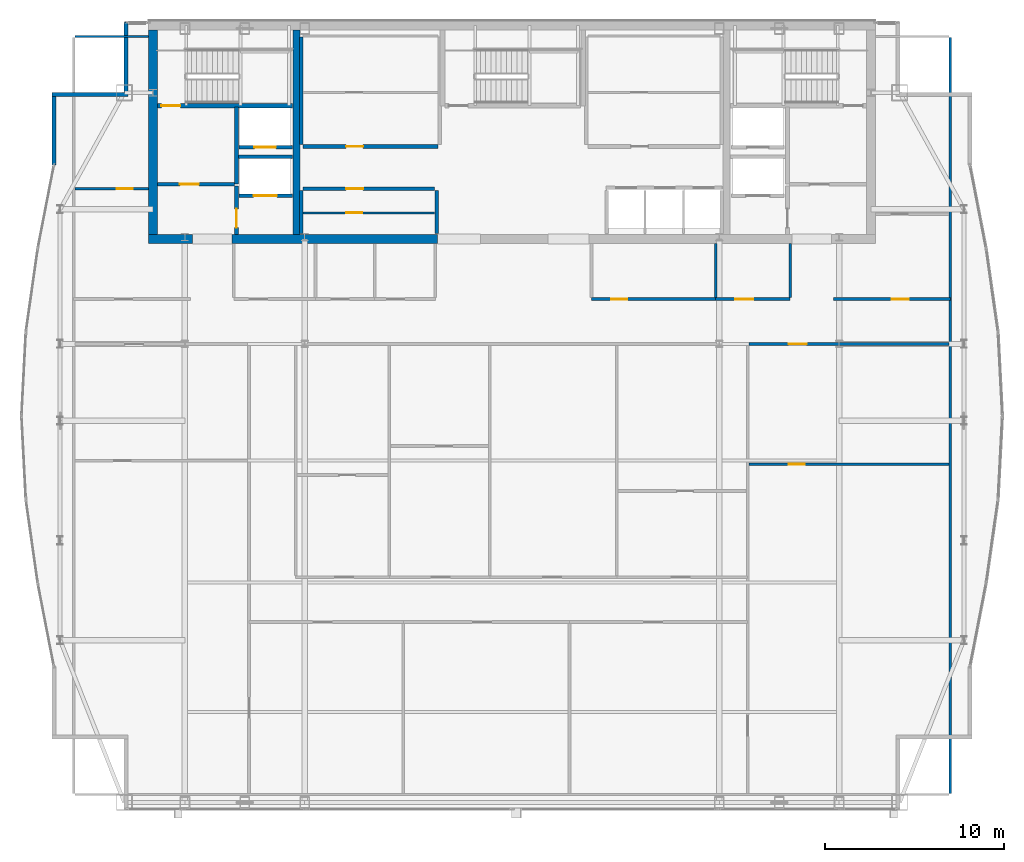
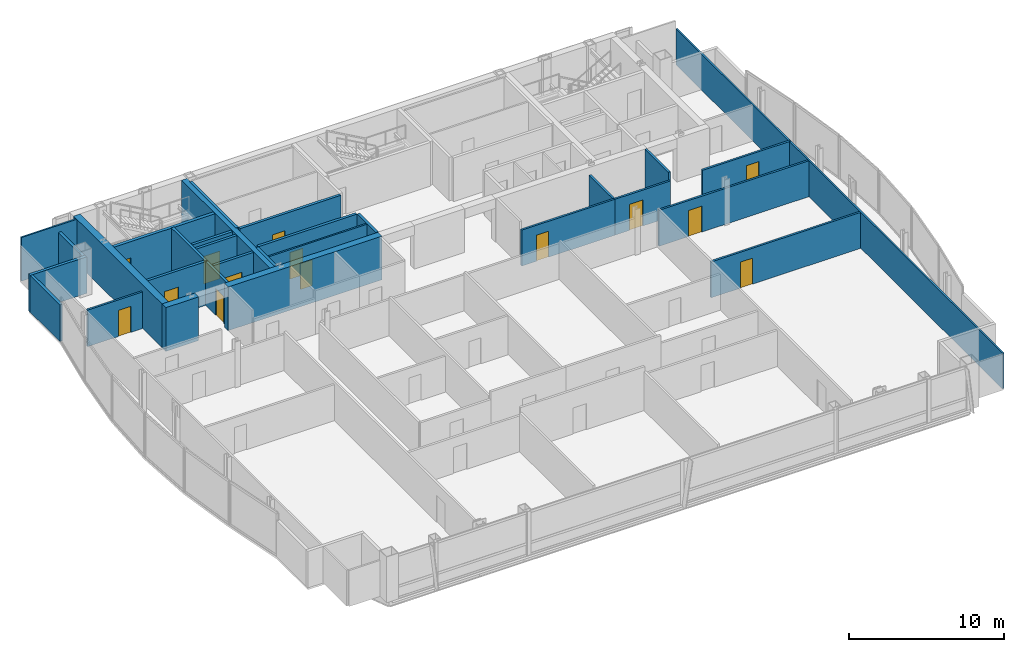
# One storey, part 23 of 27: 30 walls, 14 doors, 14 openings.
"""IFC4 building model written with IfcOpenShell, lengths in metres."""

from ifc_helpers import new_model, si_unit, direction, frame, frame_2d, origin, place, context, subcontext, project, spatial, rectangle, extrude, material, layer, layer_set, type_object, element, fill, save


model = new_model("IFC4")

# Units and contexts
model_context = context("Model", 3, precision=1e-05, world=origin(), true_north=direction((0.0, 1.0)))
body_context = subcontext(model_context, "Body", "Model", "MODEL_VIEW")
ifc_project = project(units=[si_unit("LENGTHUNIT", "METRE"), si_unit("AREAUNIT", "SQUARE_METRE"), si_unit("VOLUMEUNIT", "CUBIC_METRE"), si_unit("PLANEANGLEUNIT", "RADIAN"), si_unit("MASSUNIT", "GRAM", prefix="KILO")], contexts=[model_context])

# Site, building, storey
site_placement = place(None, origin())
site = spatial("IfcSite", under=ifc_project, at=site_placement, CompositionType="ELEMENT")
building_placement = place(site_placement, origin())
building = spatial("IfcBuilding", under=site, at=building_placement, Name="Khoronbel Lancet Exchange", CompositionType="ELEMENT")
storey_placement = place(building_placement, frame((0.0, 0.0, 332.60009765625)))
storey = spatial("IfcBuildingStorey", under=building, at=storey_placement, Name="L86", CompositionType="ELEMENT", Elevation=332.60009765625)

# Walls
ifc_material_1 = material(Name="Concrete C60/75", Category="concrete")
ifc_layer_1 = layer(ifc_material_1, 0.5, Name="Concrete C60/75")
ifc_layer_set_1 = layer_set([ifc_layer_1], Name="Concrete C60/75")
wall_type_1 = type_object("IfcWallType", Name="WL-CW4", PredefinedType="SHEAR", material=ifc_layer_set_1)
wall_1_placement = place(storey_placement, frame((16.449951171875, 41.800048828125, 0.0), z_axis=(0.0, 0.0, 1.0), x_axis=(0.0, 1.0, 0.0)))
element("IfcWall", 1, at=wall_1_placement, inside=storey, type_object=wall_type_1, Name="Level L86 rear core west shear wall", PredefinedType="SHEAR", context=body_context, shape_type="SweptSolid", body=[
    extrude(rectangle(XDim=11.39990234375, YDim=0.5, at=frame_2d((5.699951171875, 0.0))), origin(), (0.0, 0.0, 1.0), 3.43994140625),
])
wall_2_placement = place(storey_placement, frame((18.64990234375, 41.550048828125, 0.0), z_axis=(0.0, 0.0, 1.0), x_axis=(-1.0, 0.0, 0.0)))
element("IfcWall", 2, at=wall_2_placement, inside=storey, type_object=wall_type_1, Name="Level L86 rear core south shear wall pier P1", PredefinedType="SHEAR", context=body_context, shape_type="SweptSolid", body=[
    extrude(rectangle(XDim=2.449951171875, YDim=0.5, at=frame_2d((1.22509765625, 0.0))), origin(), (0.0, 0.0, 1.0), 3.43994140625),
])
wall_3_placement = place(storey_placement, frame((32.300048828125, 41.550048828125, 0.0), z_axis=(0.0, 0.0, 1.0), x_axis=(-1.0, 0.0, 0.0)))
element("IfcWall", 3, at=wall_3_placement, inside=storey, type_object=wall_type_1, Name="Level L86 rear core south shear wall pier P2", PredefinedType="SHEAR", context=body_context, shape_type="SweptSolid", body=[
    extrude(rectangle(XDim=11.449951171875, YDim=0.5, at=frame_2d((5.72509765625, 0.0))), origin(), (0.0, 0.0, 1.0), 3.43994140625),
])
ifc_material_2 = material(Name="Precast concrete C40/50", Category="concrete")
ifc_layer_2 = layer(ifc_material_2, 0.25, Name="Precast concrete C40/50")
ifc_layer_set_2 = layer_set([ifc_layer_2], Name="Precast concrete C40/50")
wall_type_2 = type_object("IfcWallType", Name="WL-EXT250", PredefinedType="SOLIDWALL", material=ifc_layer_set_2)
wall_4_placement = place(storey_placement, frame((10.93994140625, 45.67138671875, 0.0), z_axis=(0.0, 0.0, 1.0), x_axis=(0.0, 1.0, 0.0)))
element("IfcWall", 4, at=wall_4_placement, inside=storey, type_object=wall_type_2, Name="Level L86 notched-corner limestone pier 10", PredefinedType="SOLIDWALL", context=body_context, shape_type="SweptSolid", body=[
    extrude(rectangle(XDim=3.82861328125, YDim=0.219970703125, at=frame_2d((1.914306640625, 0.0))), origin(), (0.0, 0.0, 1.0), 2.8798828125),
])
wall_5_placement = place(storey_placement, frame((10.830078125, 49.610107421875, 0.0), z_axis=(0.0, 0.0, 1.0), x_axis=(1.0, 0.0, 0.0)))
element("IfcWall", 5, at=wall_5_placement, inside=storey, type_object=wall_type_2, Name="Level L86 notched-corner limestone pier 11", PredefinedType="SOLIDWALL", context=body_context, shape_type="SweptSolid", body=[
    extrude(rectangle(XDim=4.219970703125, YDim=0.219970703125, at=frame_2d((2.10986328125, 0.0))), origin(), (0.0, 0.0, 1.0), 2.8798828125),
])
wall_6_placement = place(storey_placement, frame((14.93994140625, 49.719970703125, 0.0), z_axis=(0.0, 0.0, 1.0), x_axis=(0.0, 1.0, 0.0)))
element("IfcWall", 6, at=wall_6_placement, inside=storey, type_object=wall_type_2, Name="Level L86 notched-corner limestone pier 12", PredefinedType="SOLIDWALL", context=body_context, shape_type="SweptSolid", body=[
    extrude(rectangle(XDim=3.909912109375, YDim=0.219970703125, at=frame_2d((1.955078125, 0.0))), origin(), (0.0, 0.0, 1.0), 2.8798828125),
])
ifc_material_3 = material(Name="Acoustic Metal-Stud & Mineral-Wool Gypsum Partition 120 mm", Category="gypsum")
ifc_layer_3 = layer(ifc_material_3, 0.1201171875, Name="Acoustic Metal-Stud & Mineral-Wool Gypsum Partition 120 mm")
ifc_layer_set_3 = layer_set([ifc_layer_3], Name="Acoustic Metal-Stud & Mineral-Wool Gypsum Partition 120 mm")
wall_type_3 = type_object("IfcWallType", Name="WL-PRT120", PredefinedType="PARTITIONING", material=ifc_layer_set_3)
wall_7_placement = place(storey_placement, frame((47.800048828125, 38.280029296875, 0.0), z_axis=(0.0, 0.0, 1.0), x_axis=(0.0, 1.0, 0.0)))
element("IfcWall", 7, at=wall_7_placement, inside=storey, type_object=wall_type_3, Name="Level L86 interior partition PW-NP-M", PredefinedType="PARTITIONING", context=body_context, shape_type="SweptSolid", body=[
    extrude(rectangle(XDim=3.02001953125, YDim=0.14990234375, at=frame_2d((1.510009765625, 0.0))), origin(), (0.0, 0.0, 1.0), 2.829833984375),
])
wall_8_placement = place(storey_placement, frame((51.949951171875, 38.280029296875, 0.0), z_axis=(0.0, 0.0, 1.0), x_axis=(0.0, 1.0, 0.0)))
element("IfcWall", 8, at=wall_8_placement, inside=storey, type_object=wall_type_3, Name="Level L86 interior partition PW-NP-1", PredefinedType="PARTITIONING", context=body_context, shape_type="SweptSolid", body=[
    extrude(rectangle(XDim=3.02001953125, YDim=0.14990234375, at=frame_2d((1.510009765625, 0.0))), origin(), (0.0, 0.0, 1.0), 3.43994140625),
])

# Wall, opening, door
wall_9_placement = place(storey_placement, frame((12.094970703125, 44.35009765625, 0.0), z_axis=(0.0, 0.0, 1.0), x_axis=(1.0, 0.0, 0.0)))
wall_9 = element("IfcWall", 9, at=wall_9_placement, inside=storey, type_object=wall_type_3, Name="Level L86 interior partition PW-NW-H", PredefinedType="PARTITIONING", context=body_context, shape_type="SweptSolid", body=[
    extrude(rectangle(XDim=4.10498046875, YDim=0.14990234375, at=frame_2d((2.052490234375, 0.0))), origin(), (0.0, 0.0, 1.0), 2.8798828125),
])
opening_1_placement = place(wall_9_placement, frame((2.320068359375, 0.0, 0.0)))
opening_1 = element("IfcOpeningElement", 10, at=opening_1_placement, cuts=wall_9, Name="Opening D5", PredefinedType="OPENING", context=body_context, shape_type="SweptSolid", body=[
    extrude(rectangle(XDim=0.89990234375, YDim=2.050048828125, at=frame_2d((0.449951171875, 1.02490234375))), frame((0.0, 0.0849609375, 0.0), z_axis=(0.0, -1.0, 0.0), x_axis=(1.0, 0.0, 0.0)), (0.0, 0.0, 1.0), 0.169921875),
])
ifc_material_4 = material(Name="Acoustic Timber Pantry & Support Door", Category="wood")
door_type_1 = type_object("IfcDoorType", Name="DR-D5", OperationType="NOTDEFINED", PredefinedType="DOOR", material=ifc_material_4)
door_1_placement = place(opening_1_placement, origin())
door_1 = element("IfcDoor", 11, at=door_1_placement, inside=storey, type_object=door_type_1, Name="NW north room door L86-1", OperationType="SINGLE_SWING_RIGHT", OverallHeight=2.050048828125, OverallWidth=0.89990234375, PredefinedType="DOOR", context=body_context, shape_type="SweptSolid", body=[
    extrude(rectangle(XDim=0.89990234375, YDim=2.050048828125, at=frame_2d((0.449951171875, 1.02490234375))), frame((0.0, 0.02490234375, 0.0), z_axis=(0.0, -1.0, 0.0), x_axis=(1.0, 0.0, 0.0)), (0.0, 0.0, 1.0), 0.050048828125),
])
fill(opening_1, door_1)

wall_10_placement = place(storey_placement, frame((49.659912109375, 29.0, 0.0), z_axis=(0.0, 0.0, 1.0), x_axis=(1.0, 0.0, 0.0)))
wall_10 = element("IfcWall", 12, at=wall_10_placement, inside=storey, type_object=wall_type_3, Name="Level L86 interior partition PW-Z4-EH", PredefinedType="PARTITIONING", context=body_context, shape_type="SweptSolid", body=[
    extrude(rectangle(XDim=11.14501953125, YDim=0.14990234375, at=frame_2d((5.572509765625, 0.0))), origin(), (0.0, 0.0, 1.0), 2.829833984375),
])
opening_2_placement = place(wall_10_placement, frame((2.199951171875, 0.0, 0.0)))
opening_2 = element("IfcOpeningElement", 13, at=opening_2_placement, cuts=wall_10, Name="Opening D5", PredefinedType="OPENING", context=body_context, shape_type="SweptSolid", body=[
    extrude(rectangle(XDim=0.89990234375, YDim=2.050048828125, at=frame_2d((0.449951171875, 1.02490234375))), frame((0.0, 0.0849609375, 0.0), z_axis=(0.0, -1.0, 0.0), x_axis=(1.0, 0.0, 0.0)), (0.0, 0.0, 1.0), 0.169921875),
])
door_2_placement = place(opening_2_placement, origin())
door_2 = element("IfcDoor", 14, at=door_2_placement, inside=storey, type_object=door_type_1, Name="East lens inner door L86-1", OperationType="SINGLE_SWING_LEFT", OverallHeight=2.050048828125, OverallWidth=0.89990234375, PredefinedType="DOOR", context=body_context, shape_type="SweptSolid", body=[
    extrude(rectangle(XDim=0.89990234375, YDim=2.050048828125, at=frame_2d((0.449951171875, 1.02490234375))), frame((0.0, 0.02490234375, 0.0), z_axis=(0.0, -1.0, 0.0), x_axis=(1.0, 0.0, 0.0)), (0.0, 0.0, 1.0), 0.050048828125),
])
fill(opening_2, door_2)

# Walls
wall_11_placement = place(storey_placement, frame((60.8701171875, 10.6650390625, 0.0), z_axis=(0.0, 0.0, 1.0), x_axis=(0.0, 1.0, 0.0)))
element("IfcWall", 15, at=wall_11_placement, inside=storey, type_object=wall_type_3, Name="Level L86 interior partition PW-LIN-E", PredefinedType="PARTITIONING", context=body_context, shape_type="SweptSolid", body=[
    extrude(rectangle(XDim=42.10986328125, YDim=0.1201171875, at=frame_2d((21.054931640625, 0.0))), origin(), (0.0, 0.0, 1.0), 2.829833984375),
])
wall_12_placement = place(storey_placement, frame((12.094970703125, 52.840087890625, 0.0), z_axis=(0.0, 0.0, 1.0), x_axis=(1.0, 0.0, 0.0)))
element("IfcWall", 16, at=wall_12_placement, inside=storey, type_object=wall_type_3, Name="Level L86 interior partition PW-LIN-NW", PredefinedType="PARTITIONING", context=body_context, shape_type="SweptSolid", body=[
    extrude(rectangle(XDim=4.10498046875, YDim=0.1201171875, at=frame_2d((2.052490234375, 0.0))), origin(), (0.0, 0.0, 1.0), 3.43994140625),
])

# Wall, opening, door
ifc_material_5 = material(Name="Fire-Rated Metal-Stud & Mineral-Wool Gypsum Partition 120 mm", Category="gypsum")
ifc_layer_4 = layer(ifc_material_5, 0.1201171875, Name="Fire-Rated Metal-Stud & Mineral-Wool Gypsum Partition 120 mm")
ifc_layer_set_4 = layer_set([ifc_layer_4], Name="Fire-Rated Metal-Stud & Mineral-Wool Gypsum Partition 120 mm")
wall_type_4 = type_object("IfcWallType", Name="WL-PRT120F", PredefinedType="PARTITIONING", material=ifc_layer_set_4)
wall_13_placement = place(storey_placement, frame((24.804931640625, 43.001953125, 0.0), z_axis=(0.0, 0.0, 1.0), x_axis=(1.0, 0.0, 0.0)))
wall_13 = element("IfcWall", 17, at=wall_13_placement, inside=storey, type_object=wall_type_4, Name="Level L86 interior partition CW-PM-RH", PredefinedType="PARTITIONING", context=body_context, shape_type="SweptSolid", body=[
    extrude(rectangle(XDim=7.340087890625, YDim=0.1201171875, at=frame_2d((3.669921875, 0.0))), origin(), (0.0, 0.0, 1.0), 3.43994140625),
])
opening_3_placement = place(wall_13_placement, frame((2.39990234375, 0.0, 0.0)))
opening_3 = element("IfcOpeningElement", 18, at=opening_3_placement, cuts=wall_13, Name="Opening FD4", PredefinedType="OPENING", context=body_context, shape_type="SweptSolid", body=[
    extrude(rectangle(XDim=0.89990234375, YDim=2.050048828125, at=frame_2d((0.449951171875, 1.02490234375))), frame((0.0, 0.070068359375, 0.0), z_axis=(0.0, -1.0, 0.0), x_axis=(1.0, 0.0, 0.0)), (0.0, 0.0, 1.0), 0.14013671875),
])
ifc_material_6 = material(Name="Fire-Rated Steel Core Support Door Assembly", Category="steel")
door_type_2 = type_object("IfcDoorType", Name="DR-FD4", OperationType="NOTDEFINED", PredefinedType="DOOR", material=ifc_material_6)
door_3_placement = place(opening_3_placement, origin())
door_3 = element("IfcDoor", 19, at=door_3_placement, inside=storey, type_object=door_type_2, Name="Core PM inner store door L86-1", OperationType="SINGLE_SWING_LEFT", OverallHeight=2.050048828125, OverallWidth=0.89990234375, PredefinedType="DOOR", context=body_context, shape_type="SweptSolid", body=[
    extrude(rectangle(XDim=0.89990234375, YDim=2.050048828125, at=frame_2d((0.449951171875, 1.02490234375))), frame((0.0, 0.02490234375, 0.0), z_axis=(0.0, -1.0, 0.0), x_axis=(1.0, 0.0, 0.0)), (0.0, 0.0, 1.0), 0.050048828125),
])
fill(opening_3, door_3)

ifc_material_7 = material(Name="Fire-Rated Twin-Stud Acoustic Gypsum Partition 150 mm", Category="gypsum")
ifc_layer_5 = layer(ifc_material_7, 0.14990234375, Name="Fire-Rated Twin-Stud Acoustic Gypsum Partition 150 mm")
ifc_layer_set_5 = layer_set([ifc_layer_5], Name="Fire-Rated Twin-Stud Acoustic Gypsum Partition 150 mm")
wall_type_5 = type_object("IfcWallType", Name="WL-PRT150C", PredefinedType="PARTITIONING", material=ifc_layer_set_5)
wall_14_placement = place(storey_placement, frame((40.8798828125, 38.199951171875, 0.0), z_axis=(0.0, 0.0, 1.0), x_axis=(1.0, 0.0, 0.0)))
wall_14 = element("IfcWall", 20, at=wall_14_placement, inside=storey, type_object=wall_type_5, Name="Level L86 interior partition PW-NP-S1", PredefinedType="PARTITIONING", context=body_context, shape_type="SweptSolid", body=[
    extrude(rectangle(XDim=6.920166015625, YDim=0.14990234375, at=frame_2d((3.4599609375, 0.0))), origin(), (0.0, 0.0, 1.0), 2.829833984375),
])
opening_4_placement = place(wall_14_placement, frame((1.10009765625, 0.0, 0.0)))
opening_4 = element("IfcOpeningElement", 21, at=opening_4_placement, cuts=wall_14, Name="Opening D5", PredefinedType="OPENING", context=body_context, shape_type="SweptSolid", body=[
    extrude(rectangle(XDim=0.89990234375, YDim=2.050048828125, at=frame_2d((0.449951171875, 1.02490234375))), frame((0.0, 0.0849609375, 0.0), z_axis=(0.0, -1.0, 0.0), x_axis=(1.0, 0.0, 0.0)), (0.0, 0.0, 1.0), 0.169921875),
])
door_4_placement = place(opening_4_placement, origin())
door_4 = element("IfcDoor", 22, at=door_4_placement, inside=storey, type_object=door_type_1, Name="Floor refreshment pantry door L86-1", OperationType="SINGLE_SWING_RIGHT", OverallHeight=2.050048828125, OverallWidth=0.89990234375, PredefinedType="DOOR", context=body_context, shape_type="SweptSolid", body=[
    extrude(rectangle(XDim=0.89990234375, YDim=2.050048828125, at=frame_2d((0.449951171875, 1.02490234375))), frame((0.0, 0.02490234375, 0.0), z_axis=(0.0, -1.0, 0.0), x_axis=(1.0, 0.0, 0.0)), (0.0, 0.0, 1.0), 0.050048828125),
])
fill(opening_4, door_4)

wall_15_placement = place(storey_placement, frame((47.800048828125, 38.199951171875, 0.0), z_axis=(0.0, 0.0, 1.0), x_axis=(1.0, 0.0, 0.0)))
wall_15 = element("IfcWall", 23, at=wall_15_placement, inside=storey, type_object=wall_type_5, Name="Level L86 interior partition PW-NP-S2", PredefinedType="PARTITIONING", context=body_context, shape_type="SweptSolid", body=[
    extrude(rectangle(XDim=4.14990234375, YDim=0.14990234375, at=frame_2d((2.074951171875, 0.0))), origin(), (0.0, 0.0, 1.0), 2.829833984375),
])
opening_5_placement = place(wall_15_placement, frame((1.10009765625, 0.0, 0.0)))
opening_5 = element("IfcOpeningElement", 24, at=opening_5_placement, cuts=wall_15, Name="Opening D2", PredefinedType="OPENING", context=body_context, shape_type="SweptSolid", body=[
    extrude(rectangle(XDim=1.0, YDim=2.050048828125, at=frame_2d((0.5, 1.02490234375))), frame((0.0, 0.0849609375, 0.0), z_axis=(0.0, -1.0, 0.0), x_axis=(1.0, 0.0, 0.0)), (0.0, 0.0, 1.0), 0.169921875),
])
ifc_material_8 = material(Name="Acoustic Veneered Timber & Bronze Frame Door", Category="wood")
door_type_3 = type_object("IfcDoorType", Name="DR-D2", OperationType="NOTDEFINED", PredefinedType="DOOR", material=ifc_material_8)
door_5_placement = place(opening_5_placement, origin())
door_5 = element("IfcDoor", 25, at=door_5_placement, inside=storey, type_object=door_type_3, Name="Floor store door L86-1", OperationType="SINGLE_SWING_LEFT", OverallHeight=2.050048828125, OverallWidth=1.0, PredefinedType="DOOR", context=body_context, shape_type="SweptSolid", body=[
    extrude(rectangle(XDim=1.0, YDim=2.050048828125, at=frame_2d((0.5, 1.02490234375))), frame((0.0, 0.02490234375, 0.0), z_axis=(0.0, -1.0, 0.0), x_axis=(1.0, 0.0, 0.0)), (0.0, 0.0, 1.0), 0.050048828125),
])
fill(opening_5, door_5)

wall_16_placement = place(storey_placement, frame((54.35009765625, 38.199951171875, 0.0), z_axis=(0.0, 0.0, 1.0), x_axis=(1.0, 0.0, 0.0)))
wall_16 = element("IfcWall", 26, at=wall_16_placement, inside=storey, type_object=wall_type_5, Name="Level L86 interior partition PW-NE-S", PredefinedType="PARTITIONING", context=body_context, shape_type="SweptSolid", body=[
    extrude(rectangle(XDim=6.52001953125, YDim=0.14990234375, at=frame_2d((3.260009765625, 0.0))), origin(), (0.0, 0.0, 1.0), 2.829833984375),
])
opening_6_placement = place(wall_16_placement, frame((3.25, 0.0, 0.0)))
opening_6 = element("IfcOpeningElement", 27, at=opening_6_placement, cuts=wall_16, Name="Opening D1", PredefinedType="OPENING", context=body_context, shape_type="SweptSolid", body=[
    extrude(rectangle(XDim=0.949951171875, YDim=2.050048828125, at=frame_2d((0.47509765625, 1.02490234375))), frame((0.0, 0.0849609375, 0.0), z_axis=(0.0, -1.0, 0.0), x_axis=(1.0, 0.0, 0.0)), (0.0, 0.0, 1.0), 0.169921875),
])
door_type_4 = type_object("IfcDoorType", Name="DR-D1", OperationType="NOTDEFINED", PredefinedType="DOOR", material=ifc_material_8)
door_6_placement = place(opening_6_placement, origin())
door_6 = element("IfcDoor", 28, at=door_6_placement, inside=storey, type_object=door_type_4, Name="NE corner room door L86-1", OperationType="SINGLE_SWING_LEFT", OverallHeight=2.050048828125, OverallWidth=0.949951171875, PredefinedType="DOOR", context=body_context, shape_type="SweptSolid", body=[
    extrude(rectangle(XDim=0.949951171875, YDim=2.050048828125, at=frame_2d((0.47509765625, 1.02490234375))), frame((0.0, 0.02490234375, 0.0), z_axis=(0.0, -1.0, 0.0), x_axis=(1.0, 0.0, 0.0)), (0.0, 0.0, 1.0), 0.050048828125),
])
fill(opening_6, door_6)

wall_17_placement = place(storey_placement, frame((49.659912109375, 35.699951171875, 0.0), z_axis=(0.0, 0.0, 1.0), x_axis=(1.0, 0.0, 0.0)))
wall_17 = element("IfcWall", 29, at=wall_17_placement, inside=storey, type_object=wall_type_5, Name="Level L86 interior partition PW-Z4-EN2", PredefinedType="PARTITIONING", context=body_context, shape_type="SweptSolid", body=[
    extrude(rectangle(XDim=11.14501953125, YDim=0.14990234375, at=frame_2d((5.572509765625, 0.0))), origin(), (0.0, 0.0, 1.0), 2.829833984375),
])
opening_7_placement = place(wall_17_placement, frame((2.199951171875, 0.0, 0.0)))
opening_7 = element("IfcOpeningElement", 30, at=opening_7_placement, cuts=wall_17, Name="Opening D2", PredefinedType="OPENING", context=body_context, shape_type="SweptSolid", body=[
    extrude(rectangle(XDim=1.0, YDim=2.050048828125, at=frame_2d((0.5, 1.02490234375))), frame((0.0, 0.0849609375, 0.0), z_axis=(0.0, -1.0, 0.0), x_axis=(1.0, 0.0, 0.0)), (0.0, 0.0, 1.0), 0.169921875),
])
door_7_placement = place(opening_7_placement, origin())
door_7 = element("IfcDoor", 31, at=door_7_placement, inside=storey, type_object=door_type_3, Name="East lens north door L86-1", OperationType="SINGLE_SWING_RIGHT", OverallHeight=2.050048828125, OverallWidth=1.0, PredefinedType="DOOR", context=body_context, shape_type="SweptSolid", body=[
    extrude(rectangle(XDim=1.0, YDim=2.050048828125, at=frame_2d((0.5, 1.02490234375))), frame((0.0, 0.02490234375, 0.0), z_axis=(0.0, -1.0, 0.0), x_axis=(1.0, 0.0, 0.0)), (0.0, 0.0, 1.0), 0.050048828125),
])
fill(opening_7, door_7)

ifc_material_9 = material(Name="Autoclaved Aerated Concrete Blockwork 200 mm", Category="masonry")
ifc_layer_6 = layer(ifc_material_9, 0.199951171875, Name="Autoclaved Aerated Concrete Blockwork 200 mm")
ifc_layer_set_6 = layer_set([ifc_layer_6], Name="Autoclaved Aerated Concrete Blockwork 200 mm")
wall_type_6 = type_object("IfcWallType", Name="WL-PRT200", PredefinedType="PARTITIONING", material=ifc_layer_set_6)
wall_18_placement = place(storey_placement, frame((24.2099609375, 43.949951171875, 0.0), z_axis=(0.0, 0.0, 1.0), x_axis=(-1.0, 0.0, 0.0)))
wall_18 = element("IfcWall", 32, at=wall_18_placement, inside=storey, type_object=wall_type_6, Name="Level L86 elevator hoistway landing front wall SVLW", PredefinedType="PARTITIONING", context=body_context, shape_type="SweptSolid", body=[
    extrude(rectangle(XDim=2.969970703125, YDim=0.199951171875, at=frame_2d((1.48486328125, 0.0))), origin(), (0.0, 0.0, 1.0), 3.43994140625),
])
opening_8_placement = place(wall_18_placement, frame((0.860107421875, 0.0, 0.0)))
opening_8 = element("IfcOpeningElement", 33, at=opening_8_placement, cuts=wall_18, Name="Opening LD-SVL1", PredefinedType="OPENING", context=body_context, shape_type="SweptSolid", body=[
    extrude(rectangle(XDim=1.300048828125, YDim=2.179931640625, at=frame_2d((0.64990234375, 1.08984375))), frame((0.0, 0.10986328125, 0.0), z_axis=(0.0, -1.0, 0.0), x_axis=(1.0, 0.0, 0.0)), (0.0, 0.0, 1.0), 0.219970703125),
])
ifc_material_10 = material(Name="Heavy-Duty Bi-Parting Goods Lift Landing Door", Category="steel")
door_type_5 = type_object("IfcDoorType", Name="DR-LD-SVL", OperationType="NOTDEFINED", PredefinedType="DOOR", material=ifc_material_10)
door_8_placement = place(opening_8_placement, origin())
door_8 = element("IfcDoor", 34, at=door_8_placement, inside=storey, type_object=door_type_5, Name="Elevator landing sliding door LD-SVL1 L86", OperationType="SLIDING_TO_LEFT", OverallHeight=2.179931640625, OverallWidth=1.300048828125, PredefinedType="DOOR", context=body_context, shape_type="SweptSolid", body=[
    extrude(rectangle(XDim=1.300048828125, YDim=2.179931640625, at=frame_2d((0.64990234375, 1.08984375))), frame((0.0, 0.02490234375, 0.0), z_axis=(0.0, -1.0, 0.0), x_axis=(1.0, 0.0, 0.0)), (0.0, 0.0, 1.0), 0.050048828125),
])
fill(opening_8, door_8)

wall_19_placement = place(storey_placement, frame((24.2099609375, 46.64990234375, 0.0), z_axis=(0.0, 0.0, 1.0), x_axis=(-1.0, 0.0, 0.0)))
wall_19 = element("IfcWall", 35, at=wall_19_placement, inside=storey, type_object=wall_type_6, Name="Level L86 elevator hoistway landing front wall FFLW", PredefinedType="PARTITIONING", context=body_context, shape_type="SweptSolid", body=[
    extrude(rectangle(XDim=2.969970703125, YDim=0.199951171875, at=frame_2d((1.48486328125, 0.0))), origin(), (0.0, 0.0, 1.0), 3.43994140625),
])
opening_9_placement = place(wall_19_placement, frame((0.909912109375, 0.0, 0.0)))
opening_9 = element("IfcOpeningElement", 36, at=opening_9_placement, cuts=wall_19, Name="Opening LD-FFL1", PredefinedType="OPENING", context=body_context, shape_type="SweptSolid", body=[
    extrude(rectangle(XDim=1.199951171875, YDim=2.179931640625, at=frame_2d((0.60009765625, 1.08984375))), frame((0.0, 0.10986328125, 0.0), z_axis=(0.0, -1.0, 0.0), x_axis=(1.0, 0.0, 0.0)), (0.0, 0.0, 1.0), 0.219970703125),
])
ifc_material_11 = material(Name="Fire-Rated Stainless Bi-Parting Firefighting Lift Door", Category="steel")
door_type_6 = type_object("IfcDoorType", Name="DR-LD-FFL", OperationType="NOTDEFINED", PredefinedType="DOOR", material=ifc_material_11)
door_9_placement = place(opening_9_placement, origin())
door_9 = element("IfcDoor", 37, at=door_9_placement, inside=storey, type_object=door_type_6, Name="Elevator landing sliding door LD-FFL1 L86", OperationType="SLIDING_TO_LEFT", OverallHeight=2.179931640625, OverallWidth=1.199951171875, PredefinedType="DOOR", context=body_context, shape_type="SweptSolid", body=[
    extrude(rectangle(XDim=1.199951171875, YDim=2.179931640625, at=frame_2d((0.60009765625, 1.08984375))), frame((0.0, 0.02490234375, 0.0), z_axis=(0.0, -1.0, 0.0), x_axis=(1.0, 0.0, 0.0)), (0.0, 0.0, 1.0), 0.050048828125),
])
fill(opening_9, door_9)

# Wall
wall_20_placement = place(storey_placement, frame((21.10009765625, 44.60009765625, 0.0), z_axis=(0.0, 0.0, 1.0), x_axis=(0.0, 1.0, 0.0)))
element("IfcWall", 38, at=wall_20_placement, inside=storey, type_object=wall_type_6, Name="Level L86 interior partition CW-FFLW-E", PredefinedType="PARTITIONING", context=body_context, shape_type="SweptSolid", body=[
    extrude(rectangle(XDim=4.2998046875, YDim=0.199951171875, at=frame_2d((2.14990234375, 0.0))), origin(), (0.0, 0.0, 1.0), 3.43994140625),
])

# Wall, opening, door
wall_21_placement = place(storey_placement, frame((16.699951171875, 44.60009765625, 0.0), z_axis=(0.0, 0.0, 1.0), x_axis=(1.0, 0.0, 0.0)))
wall_21 = element("IfcWall", 39, at=wall_21_placement, inside=storey, type_object=wall_type_6, Name="Level L86 interior partition CW-FFLW-S", PredefinedType="PARTITIONING", context=body_context, shape_type="SweptSolid", body=[
    extrude(rectangle(XDim=4.300048828125, YDim=0.199951171875, at=frame_2d((2.14990234375, 0.0))), origin(), (0.0, 0.0, 1.0), 3.43994140625),
])
opening_10_placement = place(wall_21_placement, frame((1.25, 0.0, 0.0)))
opening_10 = element("IfcOpeningElement", 40, at=opening_10_placement, cuts=wall_21, Name="Opening FD1", PredefinedType="OPENING", context=body_context, shape_type="SweptSolid", body=[
    extrude(rectangle(XDim=1.050048828125, YDim=2.14990234375, at=frame_2d((0.52490234375, 1.074951171875))), frame((0.0, 0.10986328125, 0.0), z_axis=(0.0, -1.0, 0.0), x_axis=(1.0, 0.0, 0.0)), (0.0, 0.0, 1.0), 0.219970703125),
])
ifc_material_12 = material(Name="Fire-Rated Painted Steel Door Assembly", Category="steel")
door_type_7 = type_object("IfcDoorType", Name="DR-FD1", OperationType="NOTDEFINED", PredefinedType="DOOR", material=ifc_material_12)
door_10_placement = place(opening_10_placement, origin())
door_10 = element("IfcDoor", 41, at=door_10_placement, inside=storey, type_object=door_type_7, Name="West firefighting lobby FD90S door L86-1", OperationType="SINGLE_SWING_LEFT", OverallHeight=2.14990234375, OverallWidth=1.050048828125, PredefinedType="DOOR", context=body_context, shape_type="SweptSolid", body=[
    extrude(rectangle(XDim=1.050048828125, YDim=2.14990234375, at=frame_2d((0.52490234375, 1.074951171875))), frame((0.0, 0.02490234375, 0.0), z_axis=(0.0, -1.0, 0.0), x_axis=(1.0, 0.0, 0.0)), (0.0, 0.0, 1.0), 0.050048828125),
])
fill(opening_10, door_10)

# Wall
wall_22_placement = place(storey_placement, frame((21.199951171875, 46.1201171875, 0.0), z_axis=(0.0, 0.0, 1.0), x_axis=(1.0, 0.0, 0.0)))
element("IfcWall", 42, at=wall_22_placement, inside=storey, type_object=wall_type_6, Name="Level L86 interior partition CW-FFL1-S", PredefinedType="PARTITIONING", context=body_context, shape_type="SweptSolid", body=[
    extrude(rectangle(XDim=3.02001953125, YDim=0.199951171875, at=frame_2d((1.510009765625, 0.0))), origin(), (0.0, 0.0, 1.0), 3.43994140625),
])

# Wall, opening, door
wall_23_placement = place(storey_placement, frame((21.10009765625, 41.800048828125, 0.0), z_axis=(0.0, 0.0, 1.0), x_axis=(0.0, 1.0, 0.0)))
wall_23 = element("IfcWall", 43, at=wall_23_placement, inside=storey, type_object=wall_type_6, Name="Level L86 interior partition CW-SVLW-W", PredefinedType="PARTITIONING", context=body_context, shape_type="SweptSolid", body=[
    extrude(rectangle(XDim=2.695068359375, YDim=0.199951171875, at=frame_2d((1.34765625, 0.0))), origin(), (0.0, 0.0, 1.0), 3.43994140625),
])
opening_11_placement = place(wall_23_placement, frame((0.3798828125, 0.0, 0.0)))
opening_11 = element("IfcOpeningElement", 44, at=opening_11_placement, cuts=wall_23, Name="Opening FD1", PredefinedType="OPENING", context=body_context, shape_type="SweptSolid", body=[
    extrude(rectangle(XDim=1.050048828125, YDim=2.14990234375, at=frame_2d((0.52490234375, 1.074951171875))), frame((0.0, 0.10986328125, 0.0), z_axis=(0.0, -1.0, 0.0), x_axis=(1.0, 0.0, 0.0)), (0.0, 0.0, 1.0), 0.219970703125),
])
door_11_placement = place(opening_11_placement, origin())
door_11 = element("IfcDoor", 45, at=door_11_placement, inside=storey, type_object=door_type_7, Name="West service lift lobby door L86-1", OperationType="SINGLE_SWING_RIGHT", OverallHeight=2.14990234375, OverallWidth=1.050048828125, PredefinedType="DOOR", context=body_context, shape_type="SweptSolid", body=[
    extrude(rectangle(XDim=1.050048828125, YDim=2.14990234375, at=frame_2d((0.52490234375, 1.074951171875))), frame((0.0, 0.02490234375, 0.0), z_axis=(0.0, -1.0, 0.0), x_axis=(1.0, 0.0, 0.0)), (0.0, 0.0, 1.0), 0.050048828125),
])
fill(opening_11, door_11)

# Wall
wall_24_placement = place(storey_placement, frame((24.699951171875, 46.804931640625, 0.0), z_axis=(0.0, 0.0, 1.0), x_axis=(0.0, 1.0, 0.0)))
element("IfcWall", 46, at=wall_24_placement, inside=storey, type_object=wall_type_6, Name="Level L86 interior partition CW-PL-RW", PredefinedType="PARTITIONING", context=body_context, shape_type="SweptSolid", body=[
    extrude(rectangle(XDim=5.989990234375, YDim=0.199951171875, at=frame_2d((2.9951171875, 0.0))), origin(), (0.0, 0.0, 1.0), 3.43994140625),
])

# Wall, opening, door
wall_25_placement = place(storey_placement, frame((24.804931640625, 46.699951171875, 0.0), z_axis=(0.0, 0.0, 1.0), x_axis=(1.0, 0.0, 0.0)))
wall_25 = element("IfcWall", 47, at=wall_25_placement, inside=storey, type_object=wall_type_6, Name="Level L86 interior partition CW-PL-RF", PredefinedType="PARTITIONING", context=body_context, shape_type="SweptSolid", body=[
    extrude(rectangle(XDim=7.510009765625, YDim=0.199951171875, at=frame_2d((3.7548828125, 0.0))), origin(), (0.0, 0.0, 1.0), 3.43994140625),
])
opening_12_placement = place(wall_25_placement, frame((2.39990234375, 0.0, 0.0)))
opening_12 = element("IfcOpeningElement", 48, at=opening_12_placement, cuts=wall_25, Name="Opening FD3", PredefinedType="OPENING", context=body_context, shape_type="SweptSolid", body=[
    extrude(rectangle(XDim=0.949951171875, YDim=2.10009765625, at=frame_2d((0.47509765625, 1.050048828125))), frame((0.0, 0.10986328125, 0.0), z_axis=(0.0, -1.0, 0.0), x_axis=(1.0, 0.0, 0.0)), (0.0, 0.0, 1.0), 0.219970703125),
])
ifc_material_13 = material(Name="Fire-Rated Steel Plant & Riser Door Assembly", Category="steel")
door_type_8 = type_object("IfcDoorType", Name="DR-FD3", OperationType="NOTDEFINED", PredefinedType="DOOR", material=ifc_material_13)
door_12_placement = place(opening_12_placement, origin())
door_12 = element("IfcDoor", 49, at=door_12_placement, inside=storey, type_object=door_type_8, Name="Core PL merged gallery room door L86-1", OperationType="SINGLE_SWING_RIGHT", OverallHeight=2.10009765625, OverallWidth=0.949951171875, PredefinedType="DOOR", context=body_context, shape_type="SweptSolid", body=[
    extrude(rectangle(XDim=0.949951171875, YDim=2.10009765625, at=frame_2d((0.47509765625, 1.050048828125))), frame((0.0, 0.02490234375, 0.0), z_axis=(0.0, -1.0, 0.0), x_axis=(1.0, 0.0, 0.0)), (0.0, 0.0, 1.0), 0.050048828125),
])
fill(opening_12, door_12)

# Walls
for number, where, z_axis, x_axis, name in (
    (50, (24.699951171875, 41.85009765625, 0.0), (0.0, 0.0, 1.0), (0.0, 1.0, 0.0), "Level L86 interior partition CW-PM-RW"),
    (51, (32.25, 41.85009765625, 0.0), (0.0, 0.0, 1.0), (0.0, 1.0, 0.0), "Level L86 interior partition CW-PM-RE"),
):
    element("IfcWall", number, at=place(storey_placement, frame(where, z_axis=z_axis, x_axis=x_axis)), inside=storey, type_object=wall_type_6, Name=name, PredefinedType="PARTITIONING", context=body_context, shape_type="SweptSolid", body=[
        extrude(rectangle(XDim=2.39501953125, YDim=0.199951171875, at=frame_2d((1.197509765625, 0.0))), origin(), (0.0, 0.0, 1.0), 3.43994140625),
    ])

# Wall, opening, door
wall_26_placement = place(storey_placement, frame((24.804931640625, 44.35009765625, 0.0), z_axis=(0.0, 0.0, 1.0), x_axis=(1.0, 0.0, 0.0)))
wall_26 = element("IfcWall", 52, at=wall_26_placement, inside=storey, type_object=wall_type_6, Name="Level L86 interior partition CW-PM-RF", PredefinedType="PARTITIONING", context=body_context, shape_type="SweptSolid", body=[
    extrude(rectangle(XDim=7.340087890625, YDim=0.199951171875, at=frame_2d((3.669921875, 0.0))), origin(), (0.0, 0.0, 1.0), 3.43994140625),
])
opening_13_placement = place(wall_26_placement, frame((2.39990234375, 0.0, 0.0)))
opening_13 = element("IfcOpeningElement", 53, at=opening_13_placement, cuts=wall_26, Name="Opening FD3", PredefinedType="OPENING", context=body_context, shape_type="SweptSolid", body=[
    extrude(rectangle(XDim=0.949951171875, YDim=2.10009765625, at=frame_2d((0.47509765625, 1.050048828125))), frame((0.0, 0.10986328125, 0.0), z_axis=(0.0, -1.0, 0.0), x_axis=(1.0, 0.0, 0.0)), (0.0, 0.0, 1.0), 0.219970703125),
])
door_13_placement = place(opening_13_placement, origin())
door_13 = element("IfcDoor", 54, at=door_13_placement, inside=storey, type_object=door_type_8, Name="Core PM merged gallery room door L86-1", OperationType="SINGLE_SWING_RIGHT", OverallHeight=2.10009765625, OverallWidth=0.949951171875, PredefinedType="DOOR", context=body_context, shape_type="SweptSolid", body=[
    extrude(rectangle(XDim=0.949951171875, YDim=2.10009765625, at=frame_2d((0.47509765625, 1.050048828125))), frame((0.0, 0.02490234375, 0.0), z_axis=(0.0, -1.0, 0.0), x_axis=(1.0, 0.0, 0.0)), (0.0, 0.0, 1.0), 0.050048828125),
])
fill(opening_13, door_13)

# Wall
ifc_layer_7 = layer(ifc_material_1, 0.39990234375, Name="Concrete C60/75")
ifc_layer_set_7 = layer_set([ifc_layer_7], Name="Concrete C60/75")
wall_type_7 = type_object("IfcWallType", Name="WL-SW2", PredefinedType="SHEAR", material=ifc_layer_set_7)
wall_27_placement = place(storey_placement, frame((24.449951171875, 41.800048828125, 0.0), z_axis=(0.0, 0.0, 1.0), x_axis=(0.0, 1.0, 0.0)))
element("IfcWall", 55, at=wall_27_placement, inside=storey, type_object=wall_type_7, Name="Level L86 rear core internal spine shear wall IW", PredefinedType="SHEAR", context=body_context, shape_type="SweptSolid", body=[
    extrude(rectangle(XDim=11.39990234375, YDim=0.39990234375, at=frame_2d((5.699951171875, 0.0))), origin(), (0.0, 0.0, 1.0), 3.43994140625),
])

# Wall, opening, door
ifc_layer_8 = layer(ifc_material_1, 0.260009765625, Name="Concrete C60/75")
ifc_layer_set_8 = layer_set([ifc_layer_8], Name="Concrete C60/75")
wall_type_8 = type_object("IfcWallType", Name="WL-SW3", PredefinedType="SHEAR", material=ifc_layer_set_8)
wall_28_placement = place(storey_placement, frame((16.699951171875, 48.97998046875, 0.0), z_axis=(0.0, 0.0, 1.0), x_axis=(1.0, 0.0, 0.0)))
wall_28 = element("IfcWall", 56, at=wall_28_placement, inside=storey, type_object=wall_type_8, Name="Level L86 west stairwell structural south wall", PredefinedType="SHEAR", context=body_context, shape_type="SweptSolid", body=[
    extrude(rectangle(XDim=7.52001953125, YDim=0.239990234375, at=frame_2d((3.760009765625, 0.0))), origin(), (0.0, 0.0, 1.0), 3.43994140625),
])
opening_14_placement = place(wall_28_placement, frame((0.219970703125, 0.0, 0.0)))
opening_14 = element("IfcOpeningElement", 57, at=opening_14_placement, cuts=wall_28, Name="Opening SD1", PredefinedType="OPENING", context=body_context, shape_type="SweptSolid", body=[
    extrude(rectangle(XDim=1.050048828125, YDim=2.14990234375, at=frame_2d((0.52490234375, 1.074951171875))), frame((0.0, 0.1298828125, 0.0), z_axis=(0.0, -1.0, 0.0), x_axis=(1.0, 0.0, 0.0)), (0.0, 0.0, 1.0), 0.260009765625),
])
ifc_material_14 = material(Name="Fire-Rated Steel Stairwell Door Assembly", Category="steel")
door_type_9 = type_object("IfcDoorType", Name="DR-SD1", OperationType="NOTDEFINED", PredefinedType="DOOR", material=ifc_material_14)
door_14_placement = place(opening_14_placement, origin())
door_14 = element("IfcDoor", 58, at=door_14_placement, inside=storey, type_object=door_type_9, Name="Protected exit stair ST1 door L86", OperationType="SINGLE_SWING_LEFT", OverallHeight=2.14990234375, OverallWidth=1.050048828125, PredefinedType="DOOR", context=body_context, shape_type="SweptSolid", body=[
    extrude(rectangle(XDim=1.050048828125, YDim=2.14990234375, at=frame_2d((0.52490234375, 1.074951171875))), frame((0.0, 0.02490234375, 0.0), z_axis=(0.0, -1.0, 0.0), x_axis=(1.0, 0.0, 0.0)), (0.0, 0.0, 1.0), 0.050048828125),
])
fill(opening_14, door_14)

save(model, "model.ifc")
